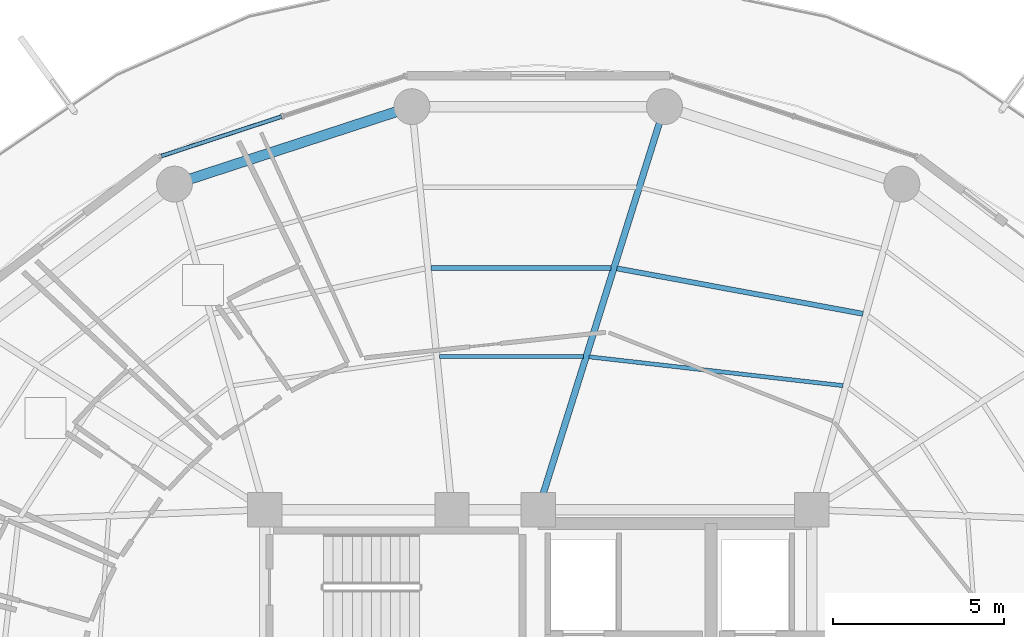
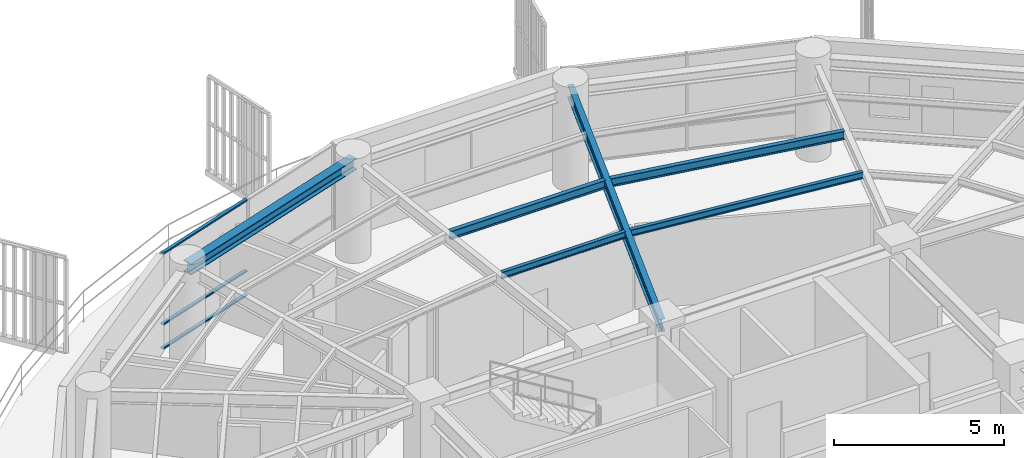
# One storey, part 19 of 31: 6 beams, 3 members, 1 element without a shape of its own.
"""IFC4 building model written with IfcOpenShell, lengths in metres."""

from ifc_helpers import new_model, si_unit, direction, frame, origin, origin_2d, place, context, subcontext, project, spatial, hollow_rectangle, i_section, extrude, material, layer, layer_set, material_profile, profile_set, type_object, element, aggregate, save


model = new_model("IFC4")

# Units and contexts
model_context = context("Model", 3, precision=1e-05, world=origin(), true_north=direction((0.0, 1.0)))
body_context = subcontext(model_context, "Body", "Model", "MODEL_VIEW")
ifc_project = project(units=[si_unit("LENGTHUNIT", "METRE"), si_unit("AREAUNIT", "SQUARE_METRE"), si_unit("VOLUMEUNIT", "CUBIC_METRE"), si_unit("PLANEANGLEUNIT", "RADIAN"), si_unit("MASSUNIT", "GRAM", prefix="KILO")], contexts=[model_context])

# Site, building, storey
site_placement = place(None, origin())
site = spatial("IfcSite", under=ifc_project, at=site_placement, CompositionType="ELEMENT")
building_placement = place(site_placement, origin())
building = spatial("IfcBuilding", under=site, at=building_placement, Name="Kelanora Arch Commons", CompositionType="ELEMENT")
storey_placement = place(building_placement, frame((0.0, 0.0, 223.199951171875)))
storey = spatial("IfcBuildingStorey", under=building, at=storey_placement, Name="L57", CompositionType="ELEMENT", Elevation=223.199951171875)

# Beams
ifc_material_1 = material(Name="Steel S355", Category="steel")
ifc_material_profile_1 = material_profile(ifc_material_1, i_section(OverallWidth=0.14990234375, OverallDepth=0.300048828125, WebThickness=0.007080078125, FlangeThickness=0.0107421875, FilletRadius=0.014892578125, at=origin_2d()), Name="IPE300")
ifc_profile_set_1 = profile_set([ifc_material_profile_1], Name="Steel S355")
beam_type_1 = type_object("IfcBeamType", Name="BM-JST-01", PredefinedType="JOIST", material=ifc_profile_set_1)
beam_1_placement = place(storey_placement, frame((83.50048828125, 70.729736328125, 3.340087890625), z_axis=(-0.983389964671, 0.181505309519, 0.0), x_axis=(-0.181505309519, -0.983389964671, 0.0)))
element("IfcBeam", 1, at=beam_1_placement, inside=storey, type_object=beam_type_1, Name="Secondary Chord Joist BJB-06 L57", PredefinedType="JOIST", context=body_context, shape_type="SweptSolid", body=[
    extrude(i_section(OverallWidth=0.14990234375, OverallDepth=0.300048828125, WebThickness=0.007080078125, FlangeThickness=0.0107421875, FilletRadius=0.014892578125, at=origin_2d()), origin(), (0.0, 0.0, 1.0), 7.3212890625),
])
beam_2_placement = place(storey_placement, frame((76.132080078125, 72.07421875, 3.340087890625), z_axis=(-1.0, 0.0, 0.0), x_axis=(0.0, -1.0, 0.0)))
element("IfcBeam", 2, at=beam_2_placement, inside=storey, type_object=beam_type_1, Name="Secondary Chord Joist BJB-08 L57", PredefinedType="JOIST", context=body_context, shape_type="SweptSolid", body=[
    extrude(i_section(OverallWidth=0.14990234375, OverallDepth=0.300048828125, WebThickness=0.007080078125, FlangeThickness=0.0107421875, FilletRadius=0.014892578125, at=origin_2d()), origin(), (0.0, 0.0, 1.0), 5.272216796875),
])
ifc_material_profile_2 = material_profile(ifc_material_1, i_section(OverallWidth=0.1201171875, OverallDepth=0.239990234375, WebThickness=0.006103515625, FlangeThickness=0.009765625, FilletRadius=0.014892578125, at=origin_2d()), Name="IPE240")
ifc_profile_set_2 = profile_set([ifc_material_profile_2], Name="Steel S355")
beam_type_2 = type_object("IfcBeamType", Name="BM-JST-02", PredefinedType="JOIST", material=ifc_profile_set_2)
beam_3_placement = place(storey_placement, frame((82.918701171875, 68.628662109375, 3.3701171875), z_axis=(-0.993639672263, 0.11260640171, 0.0), x_axis=(-0.11260640171, -0.993639672263, 0.0)))
element("IfcBeam", 3, at=beam_3_placement, inside=storey, type_object=beam_type_2, Name="Secondary Chord Joist BJA-06 L57", PredefinedType="JOIST", context=body_context, shape_type="SweptSolid", body=[
    extrude(i_section(OverallWidth=0.1201171875, OverallDepth=0.239990234375, WebThickness=0.006103515625, FlangeThickness=0.009765625, FilletRadius=0.014892578125, at=origin_2d()), origin(), (0.0, 0.0, 1.0), 7.477783203125),
])
beam_4_placement = place(storey_placement, frame((75.319091796875, 69.480224609375, 3.3701171875), z_axis=(-1.0, 0.0, 0.0), x_axis=(0.0, -1.0, 0.0)))
element("IfcBeam", 4, at=beam_4_placement, inside=storey, type_object=beam_type_2, Name="Secondary Chord Joist BJA-08 L57", PredefinedType="JOIST", context=body_context, shape_type="SweptSolid", body=[
    extrude(i_section(OverallWidth=0.1201171875, OverallDepth=0.239990234375, WebThickness=0.006103515625, FlangeThickness=0.009765625, FilletRadius=0.014892578125, at=origin_2d()), origin(), (0.0, 0.0, 1.0), 4.20068359375),
])
ifc_material_profile_3 = material_profile(ifc_material_1, i_section(OverallWidth=0.18994140625, OverallDepth=0.449951171875, WebThickness=0.009521484375, FlangeThickness=0.0146484375, FilletRadius=0.02099609375, at=origin_2d()), Name="IPE450")
ifc_profile_set_3 = profile_set([ifc_material_profile_3], Name="Steel S355")
beam_type_3 = type_object("IfcBeamType", Name="BM-RAD-Z4", PredefinedType="BEAM", material=ifc_profile_set_3)
beam_5_placement = place(storey_placement, frame((74.0, 65.0, 3.26513671875), z_axis=(0.299080457492, 0.954227897279, 0.0), x_axis=(-0.954227897279, 0.299080457492, 0.0)))
element("IfcBeam", 5, at=beam_5_placement, inside=storey, type_object=beam_type_3, Name="Radial Floor Girder BR-08 L57", PredefinedType="BEAM", context=body_context, shape_type="SweptSolid", body=[
    extrude(i_section(OverallWidth=0.18994140625, OverallDepth=0.449951171875, WebThickness=0.009521484375, FlangeThickness=0.0146484375, FilletRadius=0.02099609375, at=origin_2d()), origin(), (0.0, 0.0, 1.0), 12.35546875),
])
ifc_material_profile_4 = material_profile(ifc_material_1, i_section(OverallWidth=0.300048828125, OverallDepth=0.39990234375, WebThickness=0.013427734375, FlangeThickness=0.02392578125, FilletRadius=0.027099609375, at=origin_2d()), Name="HEB400")
ifc_profile_set_4 = profile_set([ifc_material_profile_4], Name="Steel S355")
beam_type_4 = type_object("IfcBeamType", Name="BM-SPN-Z4", PredefinedType="SPANDREL", material=ifc_profile_set_4)
beam_6_placement = place(storey_placement, frame((70.3046875, 76.7900390625, 3.2900390625), z_axis=(-0.950656361143, -0.310245842872, 0.0), x_axis=(0.310245842872, -0.950656361143, 0.0)))
element("IfcBeam", 6, at=beam_6_placement, inside=storey, type_object=beam_type_4, Name="Perimeter Spandrel Beam BS-10 L57", PredefinedType="SPANDREL", context=body_context, shape_type="SweptSolid", body=[
    extrude(i_section(OverallWidth=0.300048828125, OverallDepth=0.39990234375, WebThickness=0.013427734375, FlangeThickness=0.02392578125, FilletRadius=0.027099609375, at=origin_2d()), origin(), (0.0, 0.0, 1.0), 7.304931640625),
])

# Curtain wall, members
ifc_material_2 = material(Name="Terracotta ceramic-fritted low-E glass and aluminium", Category="masonry")
ifc_layer = layer(ifc_material_2, 0.175048828125)
ifc_layer_set = layer_set([ifc_layer], Name="Terracotta ceramic-fritted low-E glass and aluminium")
curtain_wall_type = type_object("IfcCurtainWallType", Name="CW-SYS-02", PredefinedType="NOTDEFINED", material=ifc_layer_set)
curtain_wall_placement = place(storey_placement, origin())
curtain_wall = element("IfcCurtainWall", 7, at=curtain_wall_placement, inside=storey, type_object=curtain_wall_type, Name="Unitised Curtain Wall L57-B05", PredefinedType="NOTDEFINED")
ifc_material_3 = material(Name="Powder-coated aluminium terracotta", Category="masonry")
ifc_material_profile_5 = material_profile(ifc_material_3, hollow_rectangle(XDim=0.1201171875, YDim=0.06005859375, WallThickness=0.0048828125, InnerFilletRadius=0.0048828125, OuterFilletRadius=0.010009765625, at=origin_2d()), Name="CWT120x60")
ifc_profile_set_5 = profile_set([ifc_material_profile_5], Name="Powder-coated aluminium terracotta")
member_type = type_object("IfcMemberType", Name="CWT-STD", PredefinedType="USERDEFINED", material=ifc_profile_set_5)
member_1_placement = place(storey_placement, frame((66.493896484375, 76.4990234375, 0.030029296875), z_axis=(-0.950226025222, -0.311561392011, 0.0), x_axis=(0.311561392011, -0.950226025222, 0.0)))
member_1 = element("IfcMember", 8, at=member_1_placement, type_object=member_type, Name="CW-02 transom 2.1", ObjectType="TRANSOM", PredefinedType="USERDEFINED", context=body_context, shape_type="SweptSolid", body=[
    extrude(hollow_rectangle(XDim=0.1201171875, YDim=0.06005859375, WallThickness=0.0048828125, InnerFilletRadius=0.0048828125, OuterFilletRadius=0.010009765625, at=origin_2d()), origin(), (0.0, 0.0, 1.0), 3.707275390625),
])
member_2_placement = place(storey_placement, frame((66.493896484375, 76.4990234375, 0.900146484375), z_axis=(-0.950226025222, -0.311561392011, 0.0), x_axis=(0.311561392011, -0.950226025222, 0.0)))
member_2 = element("IfcMember", 9, at=member_2_placement, type_object=member_type, Name="CW-02 transom 2.2", ObjectType="TRANSOM", PredefinedType="USERDEFINED", context=body_context, shape_type="SweptSolid", body=[
    extrude(hollow_rectangle(XDim=0.1201171875, YDim=0.06005859375, WallThickness=0.0048828125, InnerFilletRadius=0.0048828125, OuterFilletRadius=0.010009765625, at=origin_2d()), origin(), (0.0, 0.0, 1.0), 3.707275390625),
])
member_3_placement = place(storey_placement, frame((66.493896484375, 76.4990234375, 3.445068359375), z_axis=(-0.950226025222, -0.311561392011, 0.0), x_axis=(0.311561392011, -0.950226025222, 0.0)))
member_3 = element("IfcMember", 10, at=member_3_placement, type_object=member_type, Name="CW-02 transom 2.3", ObjectType="TRANSOM", PredefinedType="USERDEFINED", context=body_context, shape_type="SweptSolid", body=[
    extrude(hollow_rectangle(XDim=0.1201171875, YDim=0.06005859375, WallThickness=0.0048828125, InnerFilletRadius=0.0048828125, OuterFilletRadius=0.010009765625, at=origin_2d()), origin(), (0.0, 0.0, 1.0), 3.707275390625),
])
aggregate(curtain_wall, [member_1, member_2, member_3])

save(model, "model.ifc")
